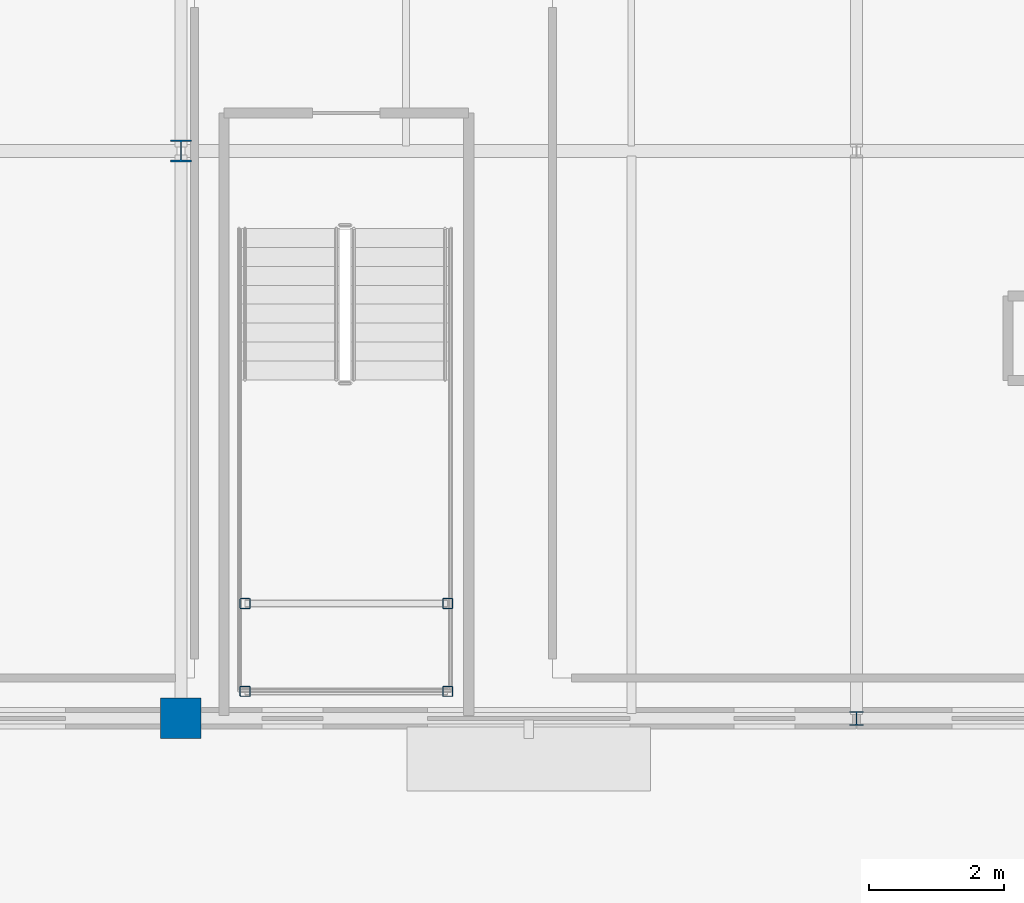
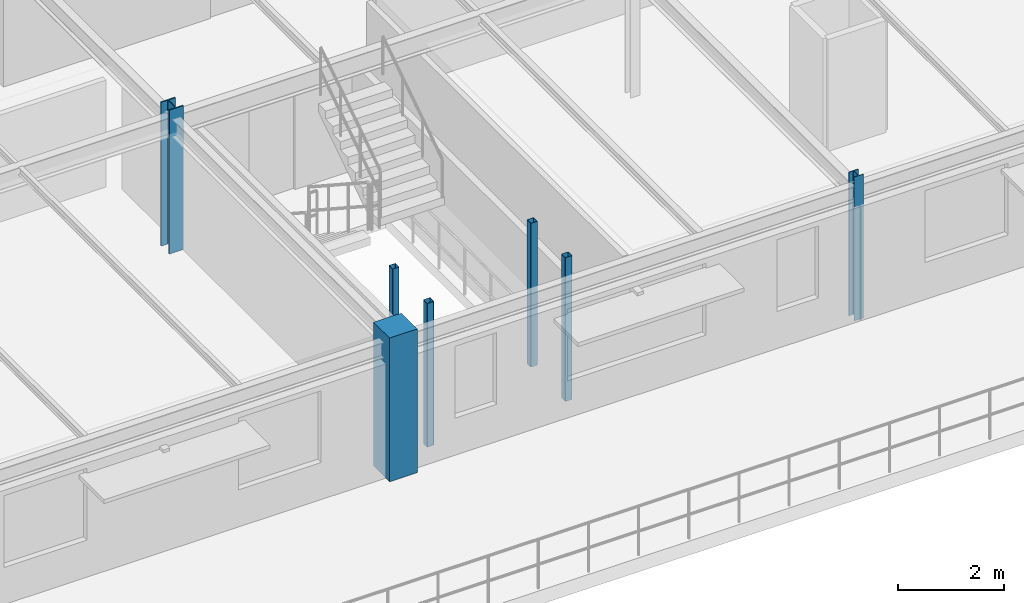
# One storey, part 5 of 23: 7 columns.
"""IFC4 building model written with IfcOpenShell, lengths in metres."""

import ifcopenshell
import ifcopenshell.guid

model = None  # the IFC model being written
_history = None  # IfcOwnerHistory: only IFC2X3 demands one
_inside = {}  # id of a spatial element -> (the spatial element, [elements in it])
_under = {}  # id of a project, library or spatial element -> (it, [spatial elements below it])
_declared = {}  # id of a project -> (the project, [libraries it declares])
_typed = {}  # id of a type object -> (the type object, [elements of that type])
_made_of = {}  # id of a material, layer set ... -> (it, [elements and type objects made of it])


def new_model(schema):
    """Start an empty IFC model of exactly this schema.

    Asked for "IFC4X3", IfcOpenShell would pick the latest addendum, in which some entities
    have other attributes; the version numbers below select the first issue.
    IFC2X3 requires an IfcOwnerHistory on every rooted entity: one is made here for all.
    """
    global model, _history
    if schema == "IFC4X3":
        model = ifcopenshell.file(schema_version=(4, 3, 0, 0))
    else:
        model = ifcopenshell.file(schema=schema)
    _inside.clear()
    _under.clear()
    _declared.clear()
    _typed.clear()
    _made_of.clear()
    _history = None
    if model.schema == "IFC2X3":
        org = make("IfcOrganization", Name="unknown")
        user = make(
            "IfcPersonAndOrganization",
            ThePerson=make("IfcPerson", FamilyName="unknown"),
            TheOrganization=org,
        )
        app = make(
            "IfcApplication",
            ApplicationDeveloper=org,
            Version="unknown",
            ApplicationFullName="unknown",
            ApplicationIdentifier="unknown",
        )
        _history = make(
            "IfcOwnerHistory",
            OwningUser=user,
            OwningApplication=app,
            ChangeAction="ADDED",
            CreationDate=0,
        )
    return model


def make(cls, **values):
    """One entity of the class cls with the attributes given. An attribute that is None is left unset."""
    return model.create_entity(
        cls, **{name: value for name, value in values.items() if value is not None}
    )


def rooted(cls, **values):
    """An entity with a GlobalId (a new one), such as an element, a storey or a relation."""
    return make(cls, GlobalId=ifcopenshell.guid.new(), OwnerHistory=_history, **values)


def si_unit(unit_type, name, prefix=None):
    """IfcSIUnit, for example si_unit("LENGTHUNIT", "METRE", prefix="MILLI")."""
    return make("IfcSIUnit", UnitType=unit_type, Prefix=prefix, Name=name)


def derived_unit(unit_type, elements):
    """IfcDerivedUnit: a product of units, each with its exponent."""
    return make(
        "IfcDerivedUnit",
        Elements=[
            make("IfcDerivedUnitElement", Unit=unit, Exponent=power)
            for unit, power in elements
        ],
        UnitType=unit_type,
    )


def assignment(units):
    """IfcUnitAssignment: the units of a project."""
    return None if units is None else make("IfcUnitAssignment", Units=units)


def point(xyz):
    """IfcCartesianPoint."""
    return None if xyz is None else make("IfcCartesianPoint", Coordinates=xyz)


def direction(xyz):
    """IfcDirection."""
    return None if xyz is None else make("IfcDirection", DirectionRatios=xyz)


def frame(location, z_axis=None, x_axis=None):
    """IfcAxis2Placement3D, a coordinate frame: its origin and axes. An axis left out is left unset."""
    return make(
        "IfcAxis2Placement3D",
        Location=point(location),
        Axis=direction(z_axis),
        RefDirection=direction(x_axis),
    )


def frame_2d(location, x_axis=None):
    """IfcAxis2Placement2D, a coordinate frame in the plane: its origin and x axis."""
    return make(
        "IfcAxis2Placement2D", Location=point(location), RefDirection=direction(x_axis)
    )


def origin():
    """The frame at (0, 0, 0) with its axes left unset."""
    return frame((0.0, 0.0, 0.0))


def origin_2d_with_axis():
    """The frame at (0, 0) in the plane with the x axis (1, 0) written out."""
    return frame_2d((0.0, 0.0), x_axis=(1.0, 0.0))


def place(relative_to, where):
    """IfcLocalPlacement: puts the frame where relative to a parent placement (None: the world)."""
    return make(
        "IfcLocalPlacement", PlacementRelTo=relative_to, RelativePlacement=where
    )


def context(
    kind, dimensions, precision=None, world=None, true_north=None, identifier=None
):
    """IfcGeometricRepresentationContext, for example the 3D "Model" context."""
    return make(
        "IfcGeometricRepresentationContext",
        ContextIdentifier=identifier,
        ContextType=kind,
        CoordinateSpaceDimension=dimensions,
        Precision=precision,
        WorldCoordinateSystem=world,
        TrueNorth=true_north,
    )


def subcontext(parent, identifier, kind, view, scale=None):
    """IfcGeometricRepresentationSubContext, for example "Body" below "Model"."""
    return make(
        "IfcGeometricRepresentationSubContext",
        ContextIdentifier=identifier,
        ContextType=kind,
        ParentContext=parent,
        TargetScale=scale,
        TargetView=view,
    )


def project(units=None, contexts=None):
    """IfcProject with its units and contexts."""
    return rooted(
        "IfcProject",
        Name="project",
        RepresentationContexts=contexts,
        UnitsInContext=assignment(units),
    )


def spatial(cls, under=None, at=None, **own):
    """A site, building, storey or space (cls), placed at a placement, below another one or the project."""
    s = rooted(cls, ObjectPlacement=at, **own)
    if under is not None:
        _under.setdefault(under.id(), (under, []))[1].append(s)
    return s


def profile(cls, at=None, kind="AREA", **sizes):
    """A parametric profile (cls). Its sizes go by their IFC names, for example OverallWidth=200.0."""
    return make(cls, ProfileType=kind, Position=at, **sizes)


def rectangle(**sizes):
    """IfcRectangleProfileDef."""
    return profile("IfcRectangleProfileDef", **sizes)


def hollow_rectangle(**sizes):
    """IfcRectangleHollowProfileDef."""
    return profile("IfcRectangleHollowProfileDef", **sizes)


def i_section(**sizes):
    """IfcIShapeProfileDef."""
    return profile("IfcIShapeProfileDef", **sizes)


def extrude(swept, where, along, depth):
    """IfcExtrudedAreaSolid: the profile swept, set in the frame where, extruded along a direction by depth."""
    return make(
        "IfcExtrudedAreaSolid",
        SweptArea=swept,
        Position=where,
        ExtrudedDirection=direction(along),
        Depth=depth,
    )


def shape(context_of_items, identifier, shape_type, items):
    """IfcShapeRepresentation: the items that make up one representation, for example the "Body"."""
    return make(
        "IfcShapeRepresentation",
        ContextOfItems=context_of_items,
        RepresentationIdentifier=identifier,
        RepresentationType=shape_type,
        Items=items,
    )


def material(Name=None, Category=None):
    """IfcMaterial."""
    return make("IfcMaterial", Name=Name, Category=Category)


def material_profile(
    of_material, cross_section, Name=None, Category=None, Priority=None
):
    """IfcMaterialProfile: a cross section and its material."""
    return make(
        "IfcMaterialProfile",
        Name=Name,
        Material=of_material,
        Profile=cross_section,
        Priority=Priority,
        Category=Category,
    )


def profile_set(profiles, Name=None, composite=None):
    """IfcMaterialProfileSet."""
    return make(
        "IfcMaterialProfileSet",
        Name=Name,
        MaterialProfiles=profiles,
        CompositeProfile=composite,
    )


def made_of(thing, what):
    """Note that an element or type object is made of a material, layer set ...; save() writes the relation."""
    if what is not None:
        _made_of.setdefault(what.id(), (what, []))[1].append(thing)
    return thing


def type_object(cls, material=None, **own):
    """A type object (cls), such as IfcWallType, which elements share."""
    return made_of(rooted(cls, **own), material)


def element(
    cls,
    number,
    at=None,
    inside=None,
    cuts=None,
    type_object=None,
    material=None,
    context=None,
    identifier="Body",
    shape_type=None,
    held_by="IfcProductDefinitionShape",
    body=None,
    shapes=None,
    **own,
):
    """One element of the class cls, such as IfcWall. Its Tag is "e" and its number.

    at: its placement. inside: the storey or other place that contains it. cuts: it is an
    opening in that element (IfcRelVoidsElement). A single representation is given by context,
    identifier, shape_type and body (its items); several are given by shapes. held_by: the class
    of the entity that holds the representations. save() writes the other relations.
    """
    e = rooted(cls, Tag="e%d" % number, ObjectPlacement=at, **own)
    if body is not None:
        shapes = [shape(context, identifier, shape_type, body)]
    if shapes is not None:
        e.Representation = make(held_by, Representations=shapes)
    if inside is not None:
        _inside.setdefault(inside.id(), (inside, []))[1].append(e)
    if cuts is not None:
        rooted(
            "IfcRelVoidsElement", RelatingBuildingElement=cuts, RelatedOpeningElement=e
        )
    if type_object is not None:
        _typed.setdefault(type_object.id(), (type_object, []))[1].append(e)
    return made_of(e, material)


def aggregate(whole, parts):
    """IfcRelAggregates: a whole, such as a stair, and the parts it consists of."""
    return rooted("IfcRelAggregates", RelatingObject=whole, RelatedObjects=parts)


def save(model, path):
    """Write the relations noted so far, then the file.

    IfcRelAggregates (storeys below a building ...), IfcRelContainedInSpatialStructure (elements
    in a storey), IfcRelDefinesByType, IfcRelAssociatesMaterial and IfcRelDeclares: one each for
    every whole, place, type object, material and project.
    """
    for whole, parts in _under.values():
        aggregate(whole, parts)
    for where, things in _inside.values():
        rooted(
            "IfcRelContainedInSpatialStructure",
            RelatedElements=things,
            RelatingStructure=where,
        )
    for kind, things in _typed.values():
        rooted("IfcRelDefinesByType", RelatedObjects=things, RelatingType=kind)
    for what, things in _made_of.values():
        rooted("IfcRelAssociatesMaterial", RelatedObjects=things, RelatingMaterial=what)
    for by, libraries in _declared.values():
        rooted("IfcRelDeclares", RelatingContext=by, RelatedDefinitions=libraries)
    model.write(path)


model = new_model("IFC4")

# Units and contexts
model_context = context("Model", 3, precision=1e-05, world=origin(), true_north=direction((0.0, 1.0)))
body_context = subcontext(model_context, "Body", "Model", "MODEL_VIEW")
ifc_project = project(units=[si_unit("LENGTHUNIT", "METRE"), si_unit("AREAUNIT", "SQUARE_METRE"), si_unit("VOLUMEUNIT", "CUBIC_METRE"), si_unit("PLANEANGLEUNIT", "RADIAN"), si_unit("MASSUNIT", "GRAM", prefix="KILO"), derived_unit("THERMALTRANSMITTANCEUNIT", [(si_unit("POWERUNIT", "WATT"), 1), (si_unit("LENGTHUNIT", "METRE"), -2), (si_unit("THERMODYNAMICTEMPERATUREUNIT", "KELVIN"), -1)])], contexts=[model_context])

# Site, building, storey
site_placement = place(None, origin())
site = spatial("IfcSite", under=ifc_project, at=site_placement, CompositionType="ELEMENT")
building_placement = place(site_placement, origin())
building = spatial("IfcBuilding", under=site, at=building_placement, Name="Cinnabar Yard Market Hall", CompositionType="ELEMENT")
storey_placement = place(building_placement, frame((0.0, 0.0, 12.0)))
storey = spatial("IfcBuildingStorey", under=building, at=storey_placement, Name="L03", CompositionType="ELEMENT", Elevation=12.0)

# Columns
ifc_material_1 = material(Name="Steel Grade 350 (350 MPa)", Category="steel")
ifc_material_profile_1 = material_profile(ifc_material_1, i_section(OverallWidth=0.311279296875, OverallDepth=0.3271484375, WebThickness=0.015625, FlangeThickness=0.02490234375, FilletRadius=0.0166015625, at=origin_2d_with_axis()), Name="310UC158")
ifc_profile_set_1 = profile_set([ifc_material_profile_1], Name="Steel Grade 350 (350 MPa)")
column_type_1 = type_object("IfcColumnType", Name="COL-C06", PredefinedType="COLUMN", material=ifc_profile_set_1)
column_1_placement = place(storey_placement, frame((106.0, 121.199951171875, 0.0), z_axis=(0.0, 0.0, 1.0), x_axis=(1.0, 0.0, 0.0)))
element("IfcColumn", 1, at=column_1_placement, inside=storey, type_object=column_type_1, Name="Wing Column V3-05-03 L03", PredefinedType="COLUMN", context=body_context, shape_type="SweptSolid", body=[
    extrude(i_section(OverallWidth=0.311279296875, OverallDepth=0.3271484375, WebThickness=0.015625, FlangeThickness=0.02490234375, FilletRadius=0.0166015625, at=origin_2d_with_axis()), origin(), (0.0, 0.0, 1.0), 3.300048828125),
])
ifc_material_2 = material(Name="Steel Grade 300 (300 MPa)", Category="steel")
ifc_material_profile_2 = material_profile(ifc_material_2, i_section(OverallWidth=0.203369140625, OverallDepth=0.203369140625, WebThickness=0.00732421875, FlangeThickness=0.010986328125, FilletRadius=0.011474609375, at=origin_2d_with_axis()), Name="200UC46.2")
ifc_profile_set_2 = profile_set([ifc_material_profile_2], Name="Steel Grade 300 (300 MPa)")
column_type_2 = type_object("IfcColumnType", Name="COL-C13E", PredefinedType="COLUMN", material=ifc_profile_set_2)
column_2_placement = place(storey_placement, frame((116.0, 112.800048828125, 0.0), z_axis=(0.0, 0.0, 1.0), x_axis=(1.0, 0.0, 0.0)))
element("IfcColumn", 2, at=column_2_placement, inside=storey, type_object=column_type_2, Name="Wing Column V3-06-02 L03", PredefinedType="COLUMN", context=body_context, shape_type="SweptSolid", body=[
    extrude(i_section(OverallWidth=0.203369140625, OverallDepth=0.203369140625, WebThickness=0.00732421875, FlangeThickness=0.010986328125, FilletRadius=0.011474609375, at=origin_2d_with_axis()), origin(), (0.0, 0.0, 1.0), 3.300048828125),
])
ifc_material_3 = material(Name="Cold-formed steel C350L0", Category="steel")
ifc_material_profile_3 = material_profile(ifc_material_3, hollow_rectangle(XDim=0.14990234375, YDim=0.14990234375, WallThickness=0.006103515625, InnerFilletRadius=0.006103515625, OuterFilletRadius=0.011962890625, at=origin_2d_with_axis()), Name="150x150x6.0SHS")
ifc_profile_set_3 = profile_set([ifc_material_profile_3], Name="Cold-formed steel C350L0")
column_type_3 = type_object("IfcColumnType", Name="COL-C16", PredefinedType="COLUMN", material=ifc_profile_set_3)
for number, where, z_axis, x_axis, name in (
    (3, (106.949951171875, 113.199951171875, 0.0), (0.0, 0.0, 1.0), (1.0, 0.0, 0.0), "Feature Stair Post ST-F4-1 L03"),
    (4, (109.949951171875, 113.199951171875, 0.0), (0.0, 0.0, 1.0), (1.0, 0.0, 0.0), "Feature Stair Post ST-F4-2 L03"),
    (5, (106.949951171875, 114.5, 0.0), (0.0, 0.0, 1.0), (1.0, 0.0, 0.0), "Feature Stair Post ST-F4-3 L03"),
    (6, (109.949951171875, 114.5, 0.0), (0.0, 0.0, 1.0), (1.0, 0.0, 0.0), "Feature Stair Post ST-F4-4 L03"),
):
    element("IfcColumn", number, at=place(storey_placement, frame(where, z_axis=z_axis, x_axis=x_axis)), inside=storey, type_object=column_type_3, Name=name, PredefinedType="COLUMN", context=body_context, shape_type="SweptSolid", body=[
        extrude(hollow_rectangle(XDim=0.14990234375, YDim=0.14990234375, WallThickness=0.006103515625, InnerFilletRadius=0.006103515625, OuterFilletRadius=0.011962890625, at=origin_2d_with_axis()), origin(), (0.0, 0.0, 1.0), 3.300048828125),
    ])
ifc_material_4 = material(Name="Concrete 40 MPa", Category="concrete")
ifc_material_profile_4 = material_profile(ifc_material_4, rectangle(XDim=0.60009765625, YDim=0.60009765625, at=origin_2d_with_axis()), Name="RC-600x600")
ifc_profile_set_4 = profile_set([ifc_material_profile_4], Name="Concrete 40 MPa")
column_type_4 = type_object("IfcColumnType", Name="COL-RC2E", PredefinedType="COLUMN", material=ifc_profile_set_4)
column_3_placement = place(storey_placement, frame((106.0, 112.800048828125, 0.0), z_axis=(0.0, 0.0, 1.0), x_axis=(1.0, 0.0, 0.0)))
element("IfcColumn", 7, at=column_3_placement, inside=storey, type_object=column_type_4, Name="Wing Column V3-05-02 L03", PredefinedType="COLUMN", context=body_context, shape_type="SweptSolid", body=[
    extrude(rectangle(XDim=0.60009765625, YDim=0.60009765625, at=origin_2d_with_axis()), origin(), (0.0, 0.0, 1.0), 3.300048828125),
])

save(model, "model.ifc")
